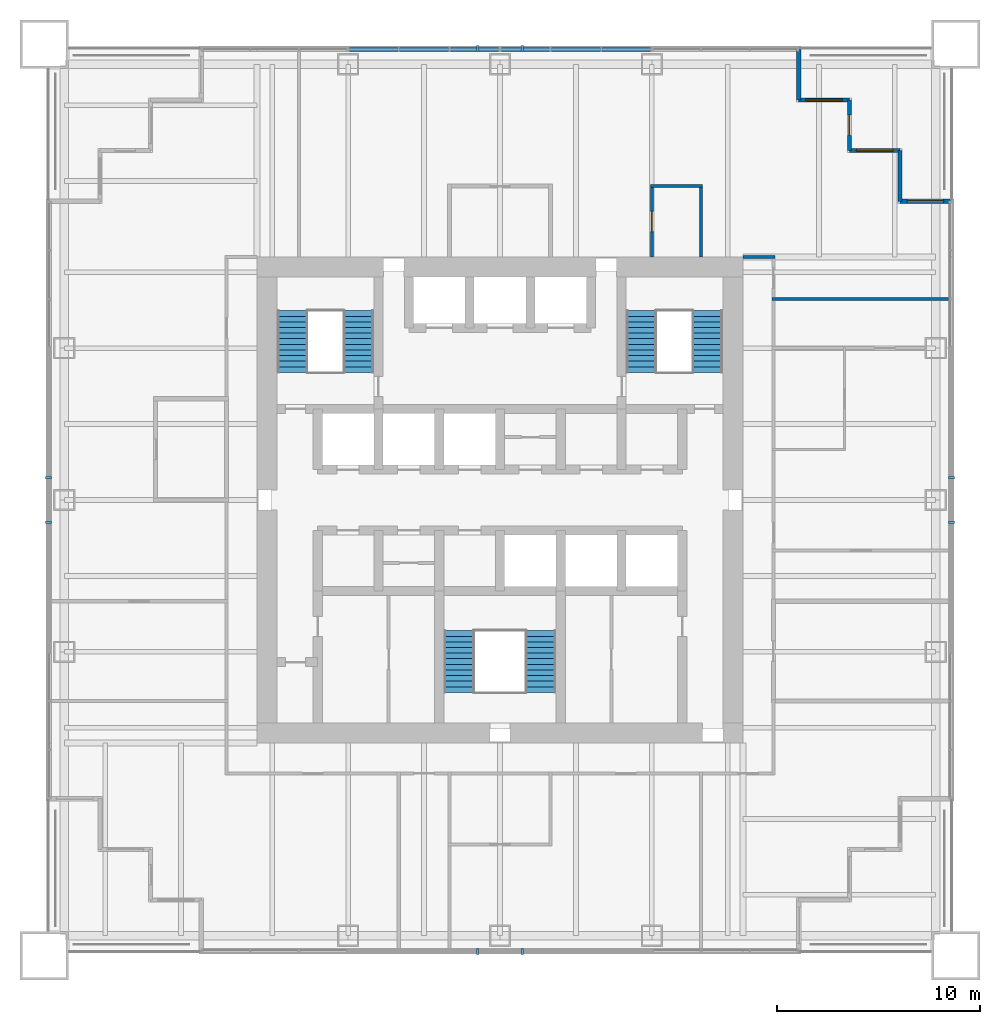
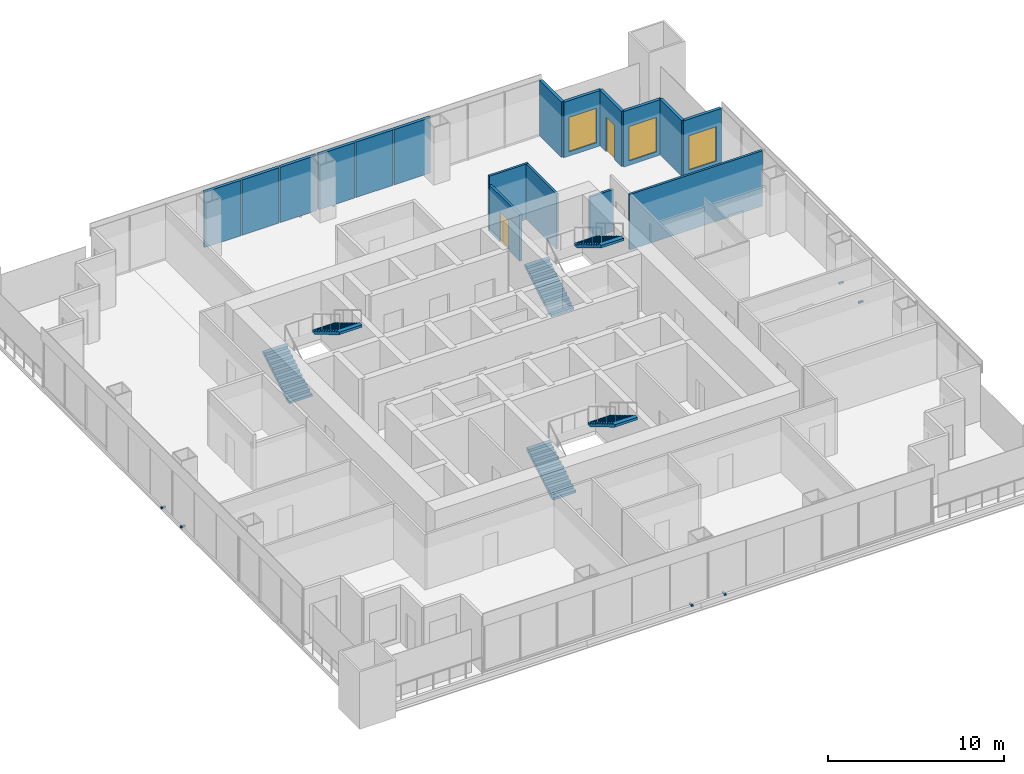
# One storey, part 11 of 13: 17 walls, 8 discrete accessories, 6 stair flights, 3 windows, 2 doors, 5 openings, 3 elements without a shape of their own.
"""IFC4 building model written with IfcOpenShell, lengths in metres."""

from ifc_helpers import new_model, si_unit, direction, frame, frame_2d, origin, origin_2d, place, context, subcontext, project, spatial, polyline, rectangle, outline, extrude, material, layer, layer_set, type_object, element, fill, aggregate, save


model = new_model("IFC4")

# Units and contexts
model_context = context("Model", 3, precision=1e-05, world=origin(), true_north=direction((0.0, 1.0)))
body_context = subcontext(model_context, "Body", "Model", "MODEL_VIEW")
ifc_project = project(units=[si_unit("LENGTHUNIT", "METRE"), si_unit("AREAUNIT", "SQUARE_METRE"), si_unit("VOLUMEUNIT", "CUBIC_METRE"), si_unit("PLANEANGLEUNIT", "RADIAN"), si_unit("MASSUNIT", "GRAM", prefix="KILO")], contexts=[model_context])

# Site, building, storey
site_placement = place(None, origin())
site = spatial("IfcSite", under=ifc_project, at=site_placement, CompositionType="ELEMENT")
building_placement = place(site_placement, origin())
building = spatial("IfcBuilding", under=site, at=building_placement, Name="Tarangal Relay Tower", CompositionType="ELEMENT")
storey_placement = place(building_placement, frame((0.0, 0.0, 197.89990234375)))
storey = spatial("IfcBuildingStorey", under=building, at=storey_placement, Name="L41", CompositionType="ELEMENT", Elevation=197.89990234375)

# Wall
ifc_material_1 = material(Name="Black metal clad insulated wall", Category="steel")
ifc_layer_1 = layer(ifc_material_1, 0.199951171875)
ifc_layer_set_1 = layer_set([ifc_layer_1], Name="Corner wall metal clad 200")
wall_type_1 = type_object("IfcWallType", Name="Corner wall metal clad 200", PredefinedType="SOLIDWALL", material=ifc_layer_set_1)
wall_1_placement = place(storey_placement, frame((14.75, 22.25, 0.0), z_axis=(0.0, 0.0, 1.0), x_axis=(0.0, -1.0, 0.0)))
element("IfcWall", 1, at=wall_1_placement, inside=storey, type_object=wall_type_1, Name="Facade wall N facade L41", PredefinedType="SOLIDWALL", context=body_context, shape_type="SweptSolid", body=[
    extrude(rectangle(XDim=2.5, YDim=0.199951171875, at=frame_2d((1.25, 0.0))), origin(), (0.0, 0.0, 1.0), 3.85009765625),
])

# Wall, opening, window
wall_2_placement = place(storey_placement, frame((14.75, 19.75, 0.0), z_axis=(0.0, 0.0, 1.0), x_axis=(1.0, 0.0, 0.0)))
wall_2 = element("IfcWall", 2, at=wall_2_placement, inside=storey, type_object=wall_type_1, Name="Facade wall N facade L41", PredefinedType="SOLIDWALL", context=body_context, shape_type="SweptSolid", body=[
    extrude(rectangle(XDim=2.5, YDim=0.199951171875, at=frame_2d((1.25, 0.0))), origin(), (0.0, 0.0, 1.0), 3.85009765625),
])
opening_1_placement = place(wall_2_placement, frame((0.35009765625, 0.0, 0.300048828125)))
opening_1 = element("IfcOpeningElement", 3, at=opening_1_placement, cuts=wall_2, Name="Opening WN2", PredefinedType="OPENING", context=body_context, shape_type="SweptSolid", body=[
    extrude(rectangle(XDim=1.800048828125, YDim=2.39990234375, at=frame_2d((0.89990234375, 1.199951171875))), frame((0.0, 0.10986328125, 0.0), z_axis=(0.0, -1.0, 0.0), x_axis=(1.0, 0.0, 0.0)), (0.0, 0.0, 1.0), 0.219970703125),
])
ifc_material_2 = material(Name="Dark tinted double glazing in black aluminium frame", Category="aluminium")
window_type = type_object("IfcWindowType", Name="Corner window 1800 x 2400", PartitioningType="SINGLE_PANEL", PredefinedType="WINDOW", material=ifc_material_2)
window_1_placement = place(opening_1_placement, origin())
window_1 = element("IfcWindow", 4, at=window_1_placement, inside=storey, type_object=window_type, Name="Corner window WN2 N facade L41", OverallHeight=2.39990234375, OverallWidth=1.800048828125, PartitioningType="SINGLE_PANEL", PredefinedType="WINDOW", context=body_context, shape_type="SweptSolid", body=[
    extrude(rectangle(XDim=1.800048828125, YDim=2.39990234375, at=frame_2d((0.89990234375, 1.199951171875))), frame((0.0, 0.030029296875, 0.0), z_axis=(0.0, -1.0, 0.0), x_axis=(1.0, 0.0, 0.0)), (0.0, 0.0, 1.0), 0.06005859375),
])
fill(opening_1, window_1)

# Wall, opening, door
wall_3_placement = place(storey_placement, frame((17.25, 19.75, 0.0), z_axis=(0.0, 0.0, 1.0), x_axis=(0.0, -1.0, 0.0)))
wall_3 = element("IfcWall", 5, at=wall_3_placement, inside=storey, type_object=wall_type_1, Name="Facade wall N facade L41", PredefinedType="SOLIDWALL", context=body_context, shape_type="SweptSolid", body=[
    extrude(rectangle(XDim=2.5, YDim=0.199951171875, at=frame_2d((1.25, 0.0))), origin(), (0.0, 0.0, 1.0), 3.85009765625),
])
opening_2_placement = place(wall_3_placement, frame((0.75, 0.0, 0.0)))
opening_2 = element("IfcOpeningElement", 6, at=opening_2_placement, cuts=wall_3, Name="Opening TD1", PredefinedType="OPENING", context=body_context, shape_type="SweptSolid", body=[
    extrude(rectangle(XDim=1.0, YDim=2.39990234375, at=frame_2d((0.5, 1.199951171875))), frame((0.0, 0.10986328125, 0.0), z_axis=(0.0, -1.0, 0.0), x_axis=(1.0, 0.0, 0.0)), (0.0, 0.0, 1.0), 0.219970703125),
])
ifc_material_3 = material(Name="Aluminium glazed door", Category="aluminium")
door_type_1 = type_object("IfcDoorType", Name="Terrace door 1000 x 2400", OperationType="SINGLE_SWING_RIGHT", PredefinedType="DOOR", material=ifc_material_3)
door_1_placement = place(opening_2_placement, origin())
door_1 = element("IfcDoor", 7, at=door_1_placement, inside=storey, type_object=door_type_1, Name="Terrace door TD1 NE L41", OperationType="SINGLE_SWING_RIGHT", OverallHeight=2.39990234375, OverallWidth=1.0, PredefinedType="DOOR", context=body_context, shape_type="SweptSolid", body=[
    extrude(rectangle(XDim=1.0, YDim=2.39990234375, at=frame_2d((0.5, 1.199951171875))), frame((0.0, 0.02490234375, 0.0), z_axis=(0.0, -1.0, 0.0), x_axis=(1.0, 0.0, 0.0)), (0.0, 0.0, 1.0), 0.050048828125),
])
fill(opening_2, door_1)

# Wall, opening, window
wall_4_placement = place(storey_placement, frame((17.25, 17.25, 0.0), z_axis=(0.0, 0.0, 1.0), x_axis=(1.0, 0.0, 0.0)))
wall_4 = element("IfcWall", 8, at=wall_4_placement, inside=storey, type_object=wall_type_1, Name="Facade wall N facade L41", PredefinedType="SOLIDWALL", context=body_context, shape_type="SweptSolid", body=[
    extrude(rectangle(XDim=2.5, YDim=0.199951171875, at=frame_2d((1.25, 0.0))), origin(), (0.0, 0.0, 1.0), 3.85009765625),
])
opening_3_placement = place(wall_4_placement, frame((0.35009765625, 0.0, 0.300048828125)))
opening_3 = element("IfcOpeningElement", 9, at=opening_3_placement, cuts=wall_4, Name="Opening WN2", PredefinedType="OPENING", context=body_context, shape_type="SweptSolid", body=[
    extrude(rectangle(XDim=1.800048828125, YDim=2.39990234375, at=frame_2d((0.89990234375, 1.199951171875))), frame((0.0, 0.10986328125, 0.0), z_axis=(0.0, -1.0, 0.0), x_axis=(1.0, 0.0, 0.0)), (0.0, 0.0, 1.0), 0.219970703125),
])
window_2_placement = place(opening_3_placement, origin())
window_2 = element("IfcWindow", 10, at=window_2_placement, inside=storey, type_object=window_type, Name="Corner window WN2 N facade L41", OverallHeight=2.39990234375, OverallWidth=1.800048828125, PartitioningType="SINGLE_PANEL", PredefinedType="WINDOW", context=body_context, shape_type="SweptSolid", body=[
    extrude(rectangle(XDim=1.800048828125, YDim=2.39990234375, at=frame_2d((0.89990234375, 1.199951171875))), frame((0.0, 0.030029296875, 0.0), z_axis=(0.0, -1.0, 0.0), x_axis=(1.0, 0.0, 0.0)), (0.0, 0.0, 1.0), 0.06005859375),
])
fill(opening_3, window_2)

# Wall
wall_5_placement = place(storey_placement, frame((19.75, 17.25, 0.0), z_axis=(0.0, 0.0, 1.0), x_axis=(0.0, -1.0, 0.0)))
element("IfcWall", 11, at=wall_5_placement, inside=storey, type_object=wall_type_1, Name="Facade wall N facade L41", PredefinedType="SOLIDWALL", context=body_context, shape_type="SweptSolid", body=[
    extrude(rectangle(XDim=2.5, YDim=0.199951171875, at=frame_2d((1.25, 0.0))), origin(), (0.0, 0.0, 1.0), 3.85009765625),
])

# Wall, opening, window
wall_6_placement = place(storey_placement, frame((19.75, 14.75, 0.0), z_axis=(0.0, 0.0, 1.0), x_axis=(1.0, 0.0, 0.0)))
wall_6 = element("IfcWall", 12, at=wall_6_placement, inside=storey, type_object=wall_type_1, Name="Facade wall N facade L41", PredefinedType="SOLIDWALL", context=body_context, shape_type="SweptSolid", body=[
    extrude(rectangle(XDim=2.5, YDim=0.199951171875, at=frame_2d((1.25, 0.0))), origin(), (0.0, 0.0, 1.0), 3.85009765625),
])
opening_4_placement = place(wall_6_placement, frame((0.35009765625, 0.0, 0.300048828125)))
opening_4 = element("IfcOpeningElement", 13, at=opening_4_placement, cuts=wall_6, Name="Opening WN2", PredefinedType="OPENING", context=body_context, shape_type="SweptSolid", body=[
    extrude(rectangle(XDim=1.800048828125, YDim=2.39990234375, at=frame_2d((0.89990234375, 1.199951171875))), frame((0.0, 0.10986328125, 0.0), z_axis=(0.0, -1.0, 0.0), x_axis=(1.0, 0.0, 0.0)), (0.0, 0.0, 1.0), 0.219970703125),
])
window_3_placement = place(opening_4_placement, origin())
window_3 = element("IfcWindow", 14, at=window_3_placement, inside=storey, type_object=window_type, Name="Corner window WN2 N facade L41", OverallHeight=2.39990234375, OverallWidth=1.800048828125, PartitioningType="SINGLE_PANEL", PredefinedType="WINDOW", context=body_context, shape_type="SweptSolid", body=[
    extrude(rectangle(XDim=1.800048828125, YDim=2.39990234375, at=frame_2d((0.89990234375, 1.199951171875))), frame((0.0, 0.030029296875, 0.0), z_axis=(0.0, -1.0, 0.0), x_axis=(1.0, 0.0, 0.0)), (0.0, 0.0, 1.0), 0.06005859375),
])
fill(opening_4, window_3)

# Walls
ifc_layer_2 = layer(ifc_material_1, 0.199951171875)
ifc_layer_set_2 = layer_set([ifc_layer_2], Name="Facade infill wall metal clad 200")
wall_type_2 = type_object("IfcWallType", Name="Facade infill wall metal clad 200", PredefinedType="SOLIDWALL", material=ifc_layer_set_2)
wall_7_placement = place(storey_placement, frame((-7.43505859375, 22.25, 0.0), z_axis=(0.0, 0.0, 1.0), x_axis=(1.0, 0.0, 0.0)))
element("IfcWall", 15, at=wall_7_placement, inside=storey, type_object=wall_type_2, Name="Facade infill wall N facade L41 1.1", PredefinedType="SOLIDWALL", context=body_context, shape_type="SweptSolid", body=[
    extrude(rectangle(XDim=2.402587890625, YDim=0.199951171875, at=frame_2d((1.201171875, 0.0))), origin(), (0.0, 0.0, 1.0), 3.85009765625),
])
wall_8_placement = place(storey_placement, frame((-4.967529296875, 22.25, 0.0), z_axis=(0.0, 0.0, 1.0), x_axis=(1.0, 0.0, 0.0)))
element("IfcWall", 16, at=wall_8_placement, inside=storey, type_object=wall_type_2, Name="Facade infill wall N facade L41 2.1", PredefinedType="SOLIDWALL", context=body_context, shape_type="SweptSolid", body=[
    extrude(rectangle(XDim=2.43505859375, YDim=0.199951171875, at=frame_2d((1.217529296875, 0.0))), origin(), (0.0, 0.0, 1.0), 3.85009765625),
])
for number, where, z_axis, x_axis, name in (
    (17, (-2.467529296875, 22.25, 0.0), (0.0, 0.0, 1.0), (1.0, 0.0, 0.0), "Facade infill wall N facade L41 3.1"),
    (18, (0.06494140625, 22.25, 0.0), (0.0, 0.0, 1.0), (1.0, 0.0, 0.0), "Facade infill wall N facade L41 1.1"),
):
    element("IfcWall", number, at=place(storey_placement, frame(where, z_axis=z_axis, x_axis=x_axis)), inside=storey, type_object=wall_type_2, Name=name, PredefinedType="SOLIDWALL", context=body_context, shape_type="SweptSolid", body=[
        extrude(rectangle(XDim=2.402587890625, YDim=0.199951171875, at=frame_2d((1.201171875, 0.0))), origin(), (0.0, 0.0, 1.0), 3.85009765625),
    ])
wall_9_placement = place(storey_placement, frame((2.532470703125, 22.25, 0.0), z_axis=(0.0, 0.0, 1.0), x_axis=(1.0, 0.0, 0.0)))
element("IfcWall", 19, at=wall_9_placement, inside=storey, type_object=wall_type_2, Name="Facade infill wall N facade L41 2.1", PredefinedType="SOLIDWALL", context=body_context, shape_type="SweptSolid", body=[
    extrude(rectangle(XDim=2.43505859375, YDim=0.199951171875, at=frame_2d((1.217529296875, 0.0))), origin(), (0.0, 0.0, 1.0), 3.85009765625),
])
wall_10_placement = place(storey_placement, frame((5.032470703125, 22.25, 0.0), z_axis=(0.0, 0.0, 1.0), x_axis=(1.0, 0.0, 0.0)))
element("IfcWall", 20, at=wall_10_placement, inside=storey, type_object=wall_type_2, Name="Facade infill wall N facade L41 3.1", PredefinedType="SOLIDWALL", context=body_context, shape_type="SweptSolid", body=[
    extrude(rectangle(XDim=2.402587890625, YDim=0.199951171875, at=frame_2d((1.201171875, 0.0))), origin(), (0.0, 0.0, 1.0), 3.85009765625),
])
ifc_material_4 = material(Name="Gypsum board on steel studs", Category="steel")
ifc_layer_3 = layer(ifc_material_4, 0.14990234375)
ifc_layer_set_3 = layer_set([ifc_layer_3], Name="Partition 150")
wall_type_3 = type_object("IfcWallType", Name="Partition 150", PredefinedType="PARTITIONING", material=ifc_layer_set_3)
wall_11_placement = place(storey_placement, frame((13.425048828125, 9.9169921875, 0.0), z_axis=(0.0, 0.0, 1.0), x_axis=(1.0, 0.0, 0.0)))
element("IfcWall", 21, at=wall_11_placement, inside=storey, type_object=wall_type_3, Name="Partition PT1 L41", PredefinedType="PARTITIONING", context=body_context, shape_type="SweptSolid", body=[
    extrude(rectangle(XDim=8.724853515625, YDim=0.14990234375, at=frame_2d((4.3623046875, 0.0))), origin(), (0.0, 0.0, 1.0), 3.85009765625),
])
wall_12_placement = place(storey_placement, frame((12.0, 12.0, 0.0), z_axis=(0.0, 0.0, 1.0), x_axis=(1.0, 0.0, 0.0)))
element("IfcWall", 22, at=wall_12_placement, inside=storey, type_object=wall_type_3, Name="Partition PT1 L41", PredefinedType="PARTITIONING", context=body_context, shape_type="SweptSolid", body=[
    extrude(rectangle(XDim=1.574951171875, YDim=0.14990234375, at=frame_2d((0.78759765625, 0.0))), origin(), (0.0, 0.0, 1.0), 2.907958984375),
])
wall_13_placement = place(storey_placement, frame((7.425048828125, 15.5, 0.0), z_axis=(0.0, 0.0, 1.0), x_axis=(1.0, 0.0, 0.0)))
element("IfcWall", 23, at=wall_13_placement, inside=storey, type_object=wall_type_3, Name="Partition PT1 L41", PredefinedType="PARTITIONING", context=body_context, shape_type="SweptSolid", body=[
    extrude(rectangle(XDim=2.56689453125, YDim=0.14990234375, at=frame_2d((1.283447265625, 0.0))), origin(), (0.0, 0.0, 1.0), 3.85009765625),
])

# Wall, opening, door
wall_14_placement = place(storey_placement, frame((7.5, 12.0, 0.0), z_axis=(0.0, 0.0, 1.0), x_axis=(0.0, 1.0, 0.0)))
wall_14 = element("IfcWall", 24, at=wall_14_placement, inside=storey, type_object=wall_type_3, Name="Partition PT1 L41", PredefinedType="PARTITIONING", context=body_context, shape_type="SweptSolid", body=[
    extrude(rectangle(XDim=3.574951171875, YDim=0.14990234375, at=frame_2d((1.78759765625, 0.0))), origin(), (0.0, 0.0, 1.0), 3.238037109375),
])
opening_5_placement = place(wall_14_placement, frame((1.25, 0.0, 0.0)))
opening_5 = element("IfcOpeningElement", 25, at=opening_5_placement, cuts=wall_14, Name="Opening D2", PredefinedType="OPENING", context=body_context, shape_type="SweptSolid", body=[
    extrude(rectangle(XDim=1.0, YDim=2.10009765625, at=frame_2d((0.5, 1.050048828125))), frame((0.0, 0.0849609375, 0.0), z_axis=(0.0, -1.0, 0.0), x_axis=(1.0, 0.0, 0.0)), (0.0, 0.0, 1.0), 0.169921875),
])
ifc_material_5 = material(Name="Hardwood door", Category="wood")
door_type_2 = type_object("IfcDoorType", Name="Door 1000 x 2100", OperationType="SINGLE_SWING_LEFT", PredefinedType="DOOR", material=ifc_material_5)
door_2_placement = place(opening_5_placement, origin())
door_2 = element("IfcDoor", 26, at=door_2_placement, inside=storey, type_object=door_type_2, Name="Door D2 to tea pantry L41-03", OperationType="SINGLE_SWING_LEFT", OverallHeight=2.10009765625, OverallWidth=1.0, PredefinedType="DOOR", context=body_context, shape_type="SweptSolid", body=[
    extrude(rectangle(XDim=1.0, YDim=2.10009765625, at=frame_2d((0.5, 1.050048828125))), frame((0.0, 0.02490234375, 0.0), z_axis=(0.0, -1.0, 0.0), x_axis=(1.0, 0.0, 0.0)), (0.0, 0.0, 1.0), 0.050048828125),
])
fill(opening_5, door_2)

# Wall
wall_15_placement = place(storey_placement, frame((9.9169921875, 12.0, 0.0), z_axis=(0.0, 0.0, 1.0), x_axis=(0.0, 1.0, 0.0)))
element("IfcWall", 27, at=wall_15_placement, inside=storey, type_object=wall_type_3, Name="Partition PT1 L41", PredefinedType="PARTITIONING", context=body_context, shape_type="SweptSolid", body=[
    extrude(rectangle(XDim=3.574951171875, YDim=0.14990234375, at=frame_2d((1.78759765625, 0.0))), origin(), (0.0, 0.0, 1.0), 3.85009765625),
])

# Stair, stair flights
ifc_material_6 = material(Name="Steel ASTM A992 stair flight", Category="steel")
stair_type = type_object("IfcStairType", Name="Core stair 1500", PredefinedType="HALF_TURN_STAIR", material=ifc_material_6)
stair_1_placement = place(storey_placement, origin())
stair_1 = element("IfcStair", 28, at=stair_1_placement, inside=storey, type_object=stair_type, Name="Stair ST-A L41", PredefinedType="HALF_TURN_STAIR")
stair_flight_type = type_object("IfcStairFlightType", Name="Steel stair flight 1500, 12 risers 167 x 277", PredefinedType="STRAIGHT", material=ifc_material_6)
stair_flight_1_placement = place(storey_placement, frame((-10.25, 6.300048828125, 0.0), z_axis=(0.0, 0.0, 1.0), x_axis=(0.0, 1.0, 0.0)))
stair_flight_1 = element("IfcStairFlight", 29, at=stair_flight_1_placement, type_object=stair_flight_type, Name="ST-A flight 1", NumberOfRisers=12, NumberOfTreads=11, PredefinedType="STRAIGHT", RiserHeight=0.166666667, TreadLength=0.277, context=body_context, shape_type="SweptSolid", body=[
    extrude(outline(polyline([(0.0, 0.0), (0.0, 0.166748046875), (0.277099609375, 0.166748046875), (0.277099609375, 0.333251953125), (0.553955078125, 0.333251953125), (0.553955078125, 0.5), (0.8310546875, 0.5), (0.8310546875, 0.666748046875), (1.10791015625, 0.666748046875), (1.10791015625, 0.833251953125), (1.385009765625, 0.833251953125), (1.385009765625, 1.0), (1.662109375, 1.0), (1.662109375, 1.166748046875), (1.93896484375, 1.166748046875), (1.93896484375, 1.333251953125), (2.216064453125, 1.333251953125), (2.216064453125, 1.5), (2.492919921875, 1.5), (2.492919921875, 1.666748046875), (2.77001953125, 1.666748046875), (2.77001953125, 1.833251953125), (3.047119140625, 1.833251953125), (3.047119140625, 2.0), (3.047119140625, 1.658447265625), (0.290771484375, 0.0), (0.0, 0.0)])), frame((0.0, 0.75, 0.0), z_axis=(0.0, -1.0, 0.0), x_axis=(1.0, 0.0, 0.0)), (0.0, 0.0, 1.0), 1.5),
])
stair_flight_2_placement = place(storey_placement, frame((-6.97509765625, 9.346923828125, 2.0), z_axis=(0.0, 0.0, 1.0), x_axis=(0.0, -1.0, 0.0)))
stair_flight_2 = element("IfcStairFlight", 30, at=stair_flight_2_placement, type_object=stair_flight_type, Name="ST-A flight 2", NumberOfRisers=12, NumberOfTreads=11, PredefinedType="STRAIGHT", RiserHeight=0.166666667, TreadLength=0.277, context=body_context, shape_type="SweptSolid", body=[
    extrude(outline(polyline([(0.0, 0.0), (0.0, 0.166748046875), (0.277099609375, 0.166748046875), (0.277099609375, 0.333251953125), (0.553955078125, 0.333251953125), (0.553955078125, 0.5), (0.8310546875, 0.5), (0.8310546875, 0.666748046875), (1.10791015625, 0.666748046875), (1.10791015625, 0.833251953125), (1.385009765625, 0.833251953125), (1.385009765625, 1.0), (1.662109375, 1.0), (1.662109375, 1.166748046875), (1.93896484375, 1.166748046875), (1.93896484375, 1.333251953125), (2.216064453125, 1.333251953125), (2.216064453125, 1.5), (2.492919921875, 1.5), (2.492919921875, 1.666748046875), (2.77001953125, 1.666748046875), (2.77001953125, 1.833251953125), (3.047119140625, 1.833251953125), (3.047119140625, 2.0), (3.047119140625, 1.658447265625), (0.290771484375, 0.0), (0.0, 0.0)])), frame((0.0, 0.75, 0.0), z_axis=(0.0, -1.0, 0.0), x_axis=(1.0, 0.0, 0.0)), (0.0, 0.0, 1.0), 1.5),
])
aggregate(stair_1, [stair_flight_1, stair_flight_2])

stair_2_placement = place(storey_placement, origin())
stair_2 = element("IfcStair", 31, at=stair_2_placement, inside=storey, type_object=stair_type, Name="Stair ST-B L41", PredefinedType="HALF_TURN_STAIR")
stair_flight_3_placement = place(storey_placement, frame((6.97509765625, 6.300048828125, 0.0), z_axis=(0.0, 0.0, 1.0), x_axis=(0.0, 1.0, 0.0)))
stair_flight_3 = element("IfcStairFlight", 32, at=stair_flight_3_placement, type_object=stair_flight_type, Name="ST-B flight 1", NumberOfRisers=12, NumberOfTreads=11, PredefinedType="STRAIGHT", RiserHeight=0.166666667, TreadLength=0.277, context=body_context, shape_type="SweptSolid", body=[
    extrude(outline(polyline([(0.0, 0.0), (0.0, 0.166748046875), (0.277099609375, 0.166748046875), (0.277099609375, 0.333251953125), (0.553955078125, 0.333251953125), (0.553955078125, 0.5), (0.8310546875, 0.5), (0.8310546875, 0.666748046875), (1.10791015625, 0.666748046875), (1.10791015625, 0.833251953125), (1.385009765625, 0.833251953125), (1.385009765625, 1.0), (1.662109375, 1.0), (1.662109375, 1.166748046875), (1.93896484375, 1.166748046875), (1.93896484375, 1.333251953125), (2.216064453125, 1.333251953125), (2.216064453125, 1.5), (2.492919921875, 1.5), (2.492919921875, 1.666748046875), (2.77001953125, 1.666748046875), (2.77001953125, 1.833251953125), (3.047119140625, 1.833251953125), (3.047119140625, 2.0), (3.047119140625, 1.658447265625), (0.290771484375, 0.0), (0.0, 0.0)])), frame((0.0, 0.75, 0.0), z_axis=(0.0, -1.0, 0.0), x_axis=(1.0, 0.0, 0.0)), (0.0, 0.0, 1.0), 1.5),
])
stair_flight_4_placement = place(storey_placement, frame((10.25, 9.346923828125, 2.0), z_axis=(0.0, 0.0, 1.0), x_axis=(0.0, -1.0, 0.0)))
stair_flight_4 = element("IfcStairFlight", 33, at=stair_flight_4_placement, type_object=stair_flight_type, Name="ST-B flight 2", NumberOfRisers=12, NumberOfTreads=11, PredefinedType="STRAIGHT", RiserHeight=0.166666667, TreadLength=0.277, context=body_context, shape_type="SweptSolid", body=[
    extrude(outline(polyline([(0.0, 0.0), (0.0, 0.166748046875), (0.277099609375, 0.166748046875), (0.277099609375, 0.333251953125), (0.553955078125, 0.333251953125), (0.553955078125, 0.5), (0.8310546875, 0.5), (0.8310546875, 0.666748046875), (1.10791015625, 0.666748046875), (1.10791015625, 0.833251953125), (1.385009765625, 0.833251953125), (1.385009765625, 1.0), (1.662109375, 1.0), (1.662109375, 1.166748046875), (1.93896484375, 1.166748046875), (1.93896484375, 1.333251953125), (2.216064453125, 1.333251953125), (2.216064453125, 1.5), (2.492919921875, 1.5), (2.492919921875, 1.666748046875), (2.77001953125, 1.666748046875), (2.77001953125, 1.833251953125), (3.047119140625, 1.833251953125), (3.047119140625, 2.0), (3.047119140625, 1.658447265625), (0.290771484375, 0.0), (0.0, 0.0)])), frame((0.0, 0.75, 0.0), z_axis=(0.0, -1.0, 0.0), x_axis=(1.0, 0.0, 0.0)), (0.0, 0.0, 1.0), 1.5),
])
aggregate(stair_2, [stair_flight_3, stair_flight_4])

stair_3_placement = place(storey_placement, origin())
stair_3 = element("IfcStair", 34, at=stair_3_placement, inside=storey, type_object=stair_type, Name="Stair ST-C L41", PredefinedType="HALF_TURN_STAIR")
stair_flight_5_placement = place(storey_placement, frame((-2.02490234375, -9.5, 0.0), z_axis=(0.0, 0.0, 1.0), x_axis=(0.0, 1.0, 0.0)))
stair_flight_5 = element("IfcStairFlight", 35, at=stair_flight_5_placement, type_object=stair_flight_type, Name="ST-C flight 1", NumberOfRisers=12, NumberOfTreads=11, PredefinedType="STRAIGHT", RiserHeight=0.166666667, TreadLength=0.277, context=body_context, shape_type="SweptSolid", body=[
    extrude(outline(polyline([(0.0, 0.0), (0.0, 0.166748046875), (0.277099609375, 0.166748046875), (0.277099609375, 0.333251953125), (0.553955078125, 0.333251953125), (0.553955078125, 0.5), (0.8310546875, 0.5), (0.8310546875, 0.666748046875), (1.10791015625, 0.666748046875), (1.10791015625, 0.833251953125), (1.385009765625, 0.833251953125), (1.385009765625, 1.0), (1.662109375, 1.0), (1.662109375, 1.166748046875), (1.93896484375, 1.166748046875), (1.93896484375, 1.333251953125), (2.216064453125, 1.333251953125), (2.216064453125, 1.5), (2.492919921875, 1.5), (2.492919921875, 1.666748046875), (2.77001953125, 1.666748046875), (2.77001953125, 1.833251953125), (3.047119140625, 1.833251953125), (3.047119140625, 2.0), (3.047119140625, 1.658447265625), (0.290771484375, 0.0), (0.0, 0.0)])), frame((0.0, 0.75, 0.0), z_axis=(0.0, -1.0, 0.0), x_axis=(1.0, 0.0, 0.0)), (0.0, 0.0, 1.0), 1.5),
])
stair_flight_6_placement = place(storey_placement, frame((2.02490234375, -6.452880859375, 2.0), z_axis=(0.0, 0.0, 1.0), x_axis=(0.0, -1.0, 0.0)))
stair_flight_6 = element("IfcStairFlight", 36, at=stair_flight_6_placement, type_object=stair_flight_type, Name="ST-C flight 2", NumberOfRisers=12, NumberOfTreads=11, PredefinedType="STRAIGHT", RiserHeight=0.166666667, TreadLength=0.277, context=body_context, shape_type="SweptSolid", body=[
    extrude(outline(polyline([(0.0, 0.0), (0.0, 0.166748046875), (0.277099609375, 0.166748046875), (0.277099609375, 0.333251953125), (0.553955078125, 0.333251953125), (0.553955078125, 0.5), (0.8310546875, 0.5), (0.8310546875, 0.666748046875), (1.10791015625, 0.666748046875), (1.10791015625, 0.833251953125), (1.385009765625, 0.833251953125), (1.385009765625, 1.0), (1.662109375, 1.0), (1.662109375, 1.166748046875), (1.93896484375, 1.166748046875), (1.93896484375, 1.333251953125), (2.216064453125, 1.333251953125), (2.216064453125, 1.5), (2.492919921875, 1.5), (2.492919921875, 1.666748046875), (2.77001953125, 1.666748046875), (2.77001953125, 1.833251953125), (3.047119140625, 1.833251953125), (3.047119140625, 2.0), (3.047119140625, 1.658447265625), (0.290771484375, 0.0), (0.0, 0.0)])), frame((0.0, 0.75, 0.0), z_axis=(0.0, -1.0, 0.0), x_axis=(1.0, 0.0, 0.0)), (0.0, 0.0, 1.0), 1.5),
])
aggregate(stair_3, [stair_flight_5, stair_flight_6])

# Discrete accessories
ifc_material_7 = material(Name="Steel ASTM A572 Grade 50", Category="steel")
discrete_accessory_type = type_object("IfcDiscreteAccessoryType", Name="Brace crossing restraint BRT3", PredefinedType="BRACKET", material=ifc_material_7)
for number, where, z_axis, x_axis, name in (
    (37, (1.095458984375, 22.300048828125, -0.1298828125), (0.0, 0.0, 1.0), (1.0, 0.0, 0.0), "Brace crossing restraint BRT3 N L41"),
    (38, (-1.095458984375, 22.300048828125, -0.1298828125), (0.0, 0.0, 1.0), (1.0, 0.0, 0.0), "Brace crossing restraint BRT3 N L41"),
):
    element("IfcDiscreteAccessory", number, at=place(storey_placement, frame(where, z_axis=z_axis, x_axis=x_axis)), inside=storey, type_object=discrete_accessory_type, Name=name, PredefinedType="BRACKET", context=body_context, shape_type="SweptSolid", body=[
        extrude(rectangle(XDim=0.1201171875, YDim=0.300048828125, at=origin_2d()), origin(), (0.0, 0.0, 1.0), 0.110107421875),
    ])
for number, where, z_axis, x_axis, name in (
    (39, (22.300048828125, -1.095458984375, -0.1298828125), (0.0, 0.0, 1.0), (1.0, 0.0, 0.0), "Brace crossing restraint BRT3 E L41"),
    (40, (22.300048828125, 1.095458984375, -0.1298828125), (0.0, 0.0, 1.0), (1.0, 0.0, 0.0), "Brace crossing restraint BRT3 E L41"),
):
    element("IfcDiscreteAccessory", number, at=place(storey_placement, frame(where, z_axis=z_axis, x_axis=x_axis)), inside=storey, type_object=discrete_accessory_type, Name=name, PredefinedType="BRACKET", context=body_context, shape_type="SweptSolid", body=[
        extrude(rectangle(XDim=0.300048828125, YDim=0.1201171875, at=origin_2d()), origin(), (0.0, 0.0, 1.0), 0.110107421875),
    ])
for number, where, z_axis, x_axis, name in (
    (41, (-1.095458984375, -22.300048828125, -0.1298828125), (0.0, 0.0, 1.0), (1.0, 0.0, 0.0), "Brace crossing restraint BRT3 S L41"),
    (42, (1.095458984375, -22.300048828125, -0.1298828125), (0.0, 0.0, 1.0), (1.0, 0.0, 0.0), "Brace crossing restraint BRT3 S L41"),
):
    element("IfcDiscreteAccessory", number, at=place(storey_placement, frame(where, z_axis=z_axis, x_axis=x_axis)), inside=storey, type_object=discrete_accessory_type, Name=name, PredefinedType="BRACKET", context=body_context, shape_type="SweptSolid", body=[
        extrude(rectangle(XDim=0.1201171875, YDim=0.300048828125, at=origin_2d()), origin(), (0.0, 0.0, 1.0), 0.110107421875),
    ])
for number, where, z_axis, x_axis, name in (
    (43, (-22.300048828125, 1.095458984375, -0.1298828125), (0.0, 0.0, 1.0), (1.0, 0.0, 0.0), "Brace crossing restraint BRT3 W L41"),
    (44, (-22.300048828125, -1.095458984375, -0.1298828125), (0.0, 0.0, 1.0), (1.0, 0.0, 0.0), "Brace crossing restraint BRT3 W L41"),
):
    element("IfcDiscreteAccessory", number, at=place(storey_placement, frame(where, z_axis=z_axis, x_axis=x_axis)), inside=storey, type_object=discrete_accessory_type, Name=name, PredefinedType="BRACKET", context=body_context, shape_type="SweptSolid", body=[
        extrude(rectangle(XDim=0.300048828125, YDim=0.1201171875, at=origin_2d()), origin(), (0.0, 0.0, 1.0), 0.110107421875),
    ])

save(model, "model.ifc")
